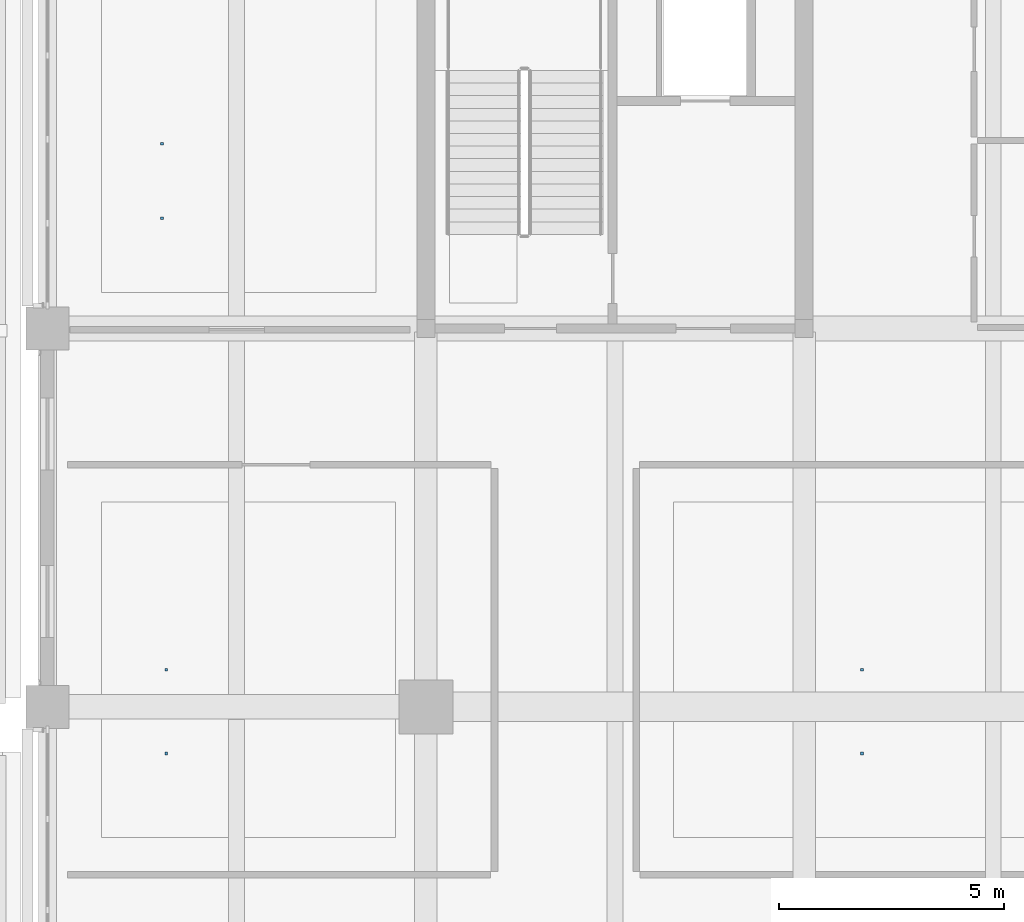
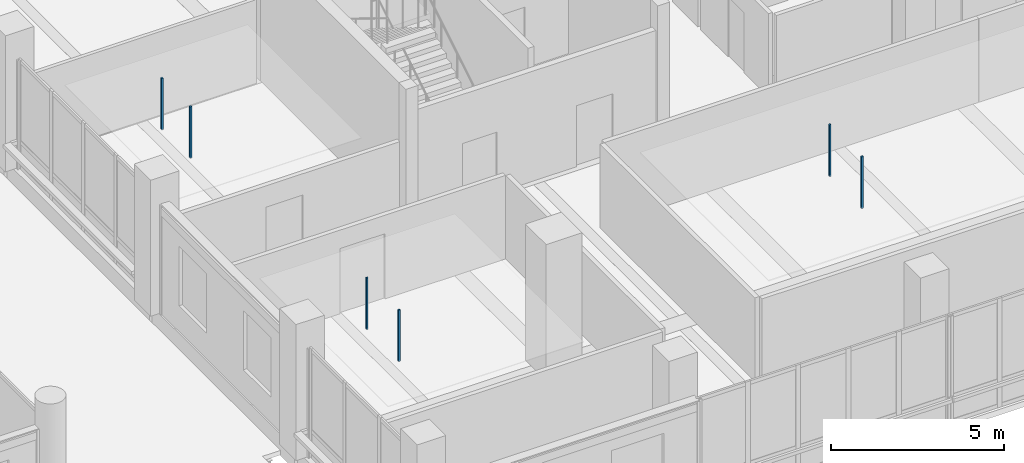
# One storey, part 61 of 128: 6 discrete accessories.
"""IFC4 building model written with IfcOpenShell, lengths in metres."""

from ifc_helpers import new_model, si_unit, direction, frame, origin, origin_2d, place, context, subcontext, project, spatial, rectangle, extrude, material, type_object, element, save


model = new_model("IFC4")

# Units and contexts
model_context = context("Model", 3, precision=1e-05, world=origin(), true_north=direction((0.0, 1.0)))
body_context = subcontext(model_context, "Body", "Model", "MODEL_VIEW")
ifc_project = project(units=[si_unit("LENGTHUNIT", "METRE"), si_unit("AREAUNIT", "SQUARE_METRE"), si_unit("VOLUMEUNIT", "CUBIC_METRE"), si_unit("PLANEANGLEUNIT", "RADIAN"), si_unit("MASSUNIT", "GRAM", prefix="KILO")], contexts=[model_context])

# Site, building, storey
site_placement = place(None, origin())
site = spatial("IfcSite", under=ifc_project, at=site_placement, CompositionType="ELEMENT")
building_placement = place(site_placement, origin())
building = spatial("IfcBuilding", under=site, at=building_placement, Name="Telukmera Botanical Conservatory", CompositionType="ELEMENT")
storey_placement = place(building_placement, frame((0.0, 0.0, 5.39990234375)))
storey = spatial("IfcBuildingStorey", under=building, at=storey_placement, Name="L01", CompositionType="ELEMENT", Elevation=5.39990234375)

# Discrete accessories
ifc_material = material(Name="Steel S355", Category="steel")
discrete_accessory_type = type_object("IfcDiscreteAccessoryType", Name="ACC-CEIL-HGR", PredefinedType="BRACKET", material=ifc_material)
for number, where, z_axis, x_axis, name in (
    (1, (52.94189453125, 28.449951171875, 2.77001953125), (0.0, 0.0, 1.0), (1.0, 0.0, 0.0), "L01 Suspended Ceiling Hanger Rod 057-1"),
    (2, (52.94189453125, 30.10009765625, 2.77001953125), (0.0, 0.0, 1.0), (1.0, 0.0, 0.0), "L01 Suspended Ceiling Hanger Rod 057-2"),
    (3, (53.03662109375, 16.5625, 2.77001953125), (0.0, 0.0, 1.0), (1.0, 0.0, 0.0), "L01 Suspended Ceiling Hanger Rod 065-1"),
    (4, (53.03662109375, 18.425048828125, 2.77001953125), (0.0, 0.0, 1.0), (1.0, 0.0, 0.0), "L01 Suspended Ceiling Hanger Rod 065-2"),
):
    element("IfcDiscreteAccessory", number, at=place(storey_placement, frame(where, z_axis=z_axis, x_axis=x_axis)), inside=storey, type_object=discrete_accessory_type, Name=name, PredefinedType="BRACKET", context=body_context, shape_type="SweptSolid", body=[
        extrude(rectangle(XDim=0.06005859375, YDim=0.06005859375, at=origin_2d()), origin(), (0.0, 0.0, 1.0), 1.81494140625),
    ])
for number, where, z_axis, x_axis, name in (
    (5, (68.486572265625, 16.5625, 2.76025390625), (0.0, 0.0, 1.0), (1.0, 0.0, 0.0), "L01 Suspended Ceiling Hanger Rod 066-1"),
    (6, (68.486572265625, 18.425048828125, 2.76025390625), (0.0, 0.0, 1.0), (1.0, 0.0, 0.0), "L01 Suspended Ceiling Hanger Rod 066-2"),
):
    element("IfcDiscreteAccessory", number, at=place(storey_placement, frame(where, z_axis=z_axis, x_axis=x_axis)), inside=storey, type_object=discrete_accessory_type, Name=name, PredefinedType="BRACKET", context=body_context, shape_type="SweptSolid", body=[
        extrude(rectangle(XDim=0.06005859375, YDim=0.06005859375, at=origin_2d()), origin(), (0.0, 0.0, 1.0), 1.824951171875),
    ])

save(model, "model.ifc")
